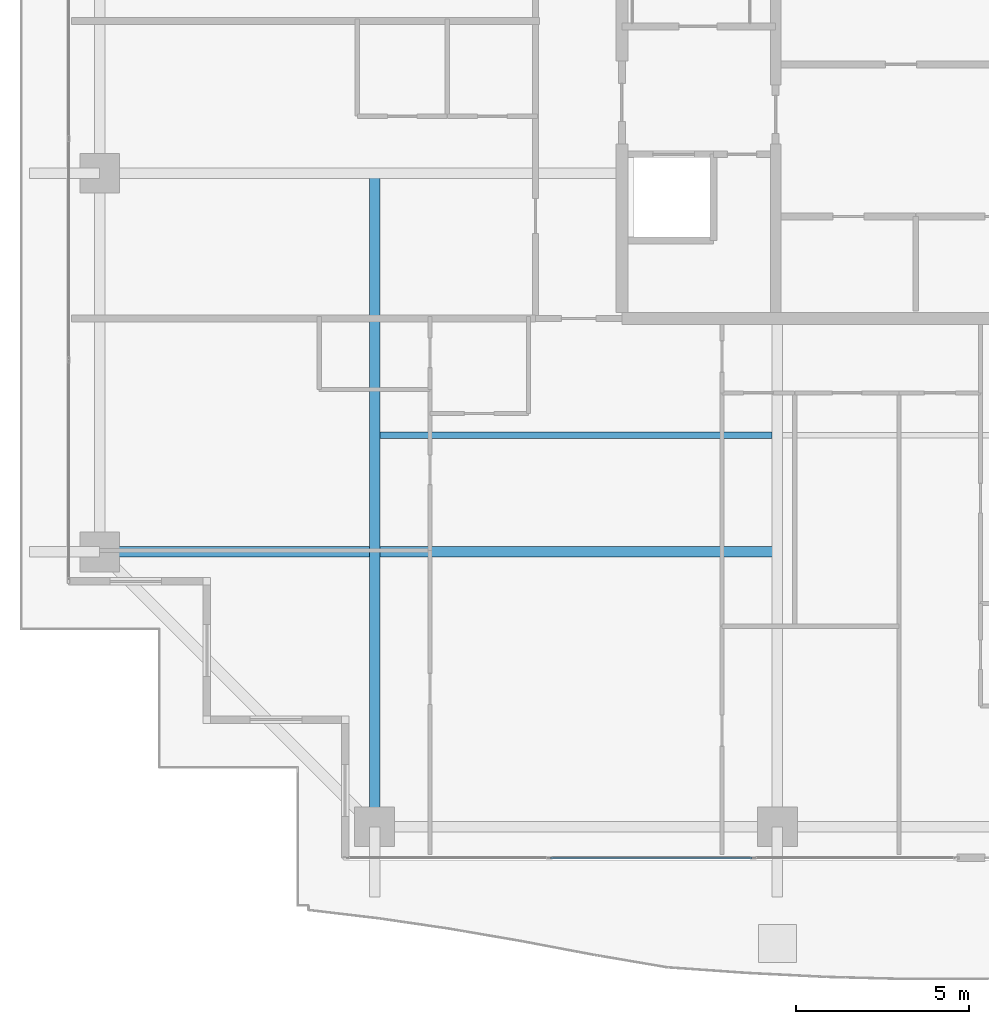
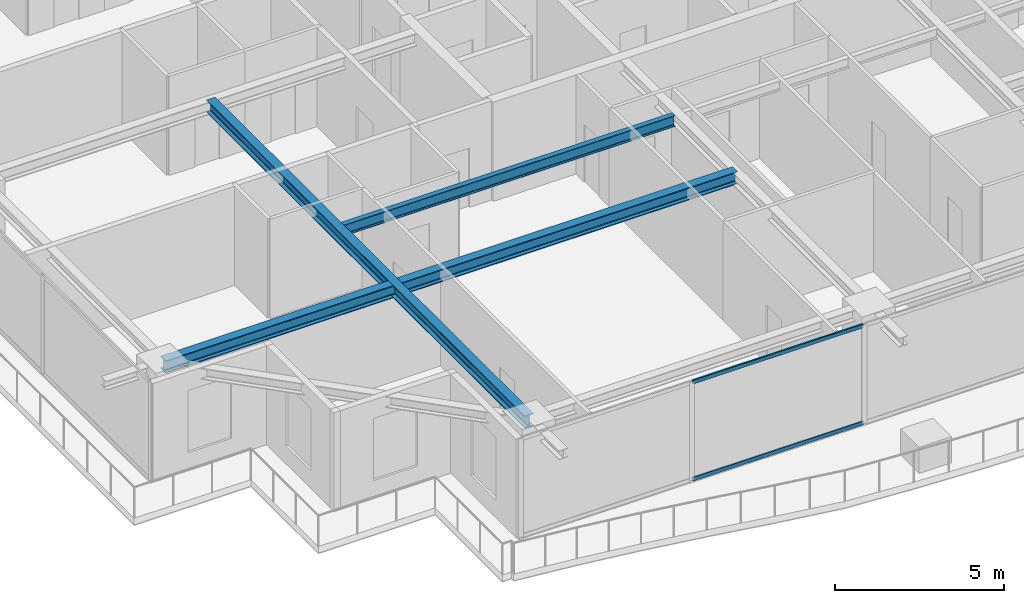
# One storey, part 4 of 38: 3 beams, 2 members, 1 element without a shape of its own.
"""IFC4 building model written with IfcOpenShell, lengths in metres."""

from ifc_helpers import new_model, si_unit, direction, frame, origin, origin_2d, place, context, subcontext, project, spatial, hollow_rectangle, i_section, extrude, source, transform, mapped, material, layer, layer_set, material_profile, profile_set, type_object, element, aggregate, save


model = new_model("IFC4")

# Units and contexts
model_context = context("Model", 3, precision=1e-05, world=origin(), true_north=direction((0.0, 1.0)))
body_context = subcontext(model_context, "Body", "Model", "MODEL_VIEW")
ifc_project = project(units=[si_unit("LENGTHUNIT", "METRE"), si_unit("AREAUNIT", "SQUARE_METRE"), si_unit("VOLUMEUNIT", "CUBIC_METRE"), si_unit("PLANEANGLEUNIT", "RADIAN"), si_unit("MASSUNIT", "GRAM", prefix="KILO")], contexts=[model_context])

# Site, building, storey
site_placement = place(None, origin())
site = spatial("IfcSite", under=ifc_project, at=site_placement, CompositionType="ELEMENT")
building_placement = place(site_placement, origin())
building = spatial("IfcBuilding", under=site, at=building_placement, Name="Serunith Strait Residences", CompositionType="ELEMENT")
storey_placement = place(building_placement, frame((0.0, 0.0, 229.699951171875)))
storey = spatial("IfcBuildingStorey", under=building, at=storey_placement, Name="L57", CompositionType="ELEMENT", Elevation=229.699951171875)

# Beams
ifc_material_1 = material(Name="Steel S355J2", Category="steel")
ifc_material_profile_1 = material_profile(ifc_material_1, i_section(OverallWidth=0.300048828125, OverallDepth=0.449951171875, WebThickness=0.013916015625, FlangeThickness=0.02587890625, FilletRadius=0.027099609375, at=origin_2d()), Name="HEB 450")
ifc_profile_set_1 = profile_set([ifc_material_profile_1], Name="Steel S355J2")
beam_type_1 = type_object("IfcBeamType", Name="BM-HEB450", PredefinedType="BEAM", material=ifc_profile_set_1)
shared_shape_1 = source(origin(), body_context, "Body", "SweptSolid", [
    extrude(i_section(OverallWidth=0.300048828125, OverallDepth=0.449951171875, WebThickness=0.013916015625, FlangeThickness=0.02587890625, FilletRadius=0.027099609375, at=origin_2d()), origin(), (0.0, 0.0, 1.0), 18.89990234375),
])
beam_1_placement = place(storey_placement, frame((16.25, 21.0, 3.362060546875), z_axis=(0.0, -1.0, 0.0), x_axis=(1.0, 0.0, 0.0)))
element("IfcBeam", 1, at=beam_1_placement, inside=storey, type_object=beam_type_1, Name="L57 Orthogonal Corner Girder TC-S1", PredefinedType="BEAM", context=body_context, shape_type="MappedRepresentation", body=[
    mapped(shared_shape_1, transform((0.0, 0.0, 0.0), scale=1.0)),
])
shared_shape_2 = source(origin(), body_context, "Body", "SweptSolid", [
    extrude(i_section(OverallWidth=0.300048828125, OverallDepth=0.449951171875, WebThickness=0.013916015625, FlangeThickness=0.02587890625, FilletRadius=0.027099609375, at=origin_2d()), origin(), (0.0, 0.0, 1.0), 19.599853515625),
])
beam_2_placement = place(storey_placement, frame((27.89990234375, 10.050048828125, 3.362060546875), z_axis=(-1.0, 0.0, 0.0), x_axis=(0.0, -1.0, 0.0)))
element("IfcBeam", 2, at=beam_2_placement, inside=storey, type_object=beam_type_1, Name="L57 Orthogonal Corner Girder TC-W1", PredefinedType="BEAM", context=body_context, shape_type="MappedRepresentation", body=[
    mapped(shared_shape_2, transform((0.0, 0.0, 0.0), scale=1.0)),
])
ifc_material_profile_2 = material_profile(ifc_material_1, i_section(OverallWidth=0.179931640625, OverallDepth=0.39990234375, WebThickness=0.008544921875, FlangeThickness=0.013427734375, FilletRadius=0.02099609375, at=origin_2d()), Name="IPE 400")
ifc_profile_set_2 = profile_set([ifc_material_profile_2], Name="Steel S355J2")
beam_type_2 = type_object("IfcBeamType", Name="BM-IPE400", PredefinedType="JOIST", material=ifc_profile_set_2)
shared_shape_3 = source(origin(), body_context, "Body", "SweptSolid", [
    extrude(i_section(OverallWidth=0.179931640625, OverallDepth=0.39990234375, WebThickness=0.008544921875, FlangeThickness=0.013427734375, FilletRadius=0.02099609375, at=origin_2d()), origin(), (0.0, 0.0, 1.0), 11.35009765625),
])
beam_3_placement = place(storey_placement, frame((16.39990234375, 13.425048828125, 3.386962890625), z_axis=(1.0, 0.0, 0.0), x_axis=(0.0, 1.0, 0.0)))
element("IfcBeam", 3, at=beam_3_placement, inside=storey, type_object=beam_type_2, Name="L57 Composite Floor Joist 01", PredefinedType="JOIST", context=body_context, shape_type="MappedRepresentation", body=[
    mapped(shared_shape_3, transform((0.0, 0.0, 0.0), scale=1.0)),
])

# Curtain wall, members
ifc_material_2 = material(Name="Pale-Champagne Anodised Aluminium", Category="aluminium")
ifc_layer = layer(ifc_material_2, 0.199951171875, Name="Pale-Champagne Anodised Aluminium")
ifc_layer_set = layer_set([ifc_layer], Name="Pale-Champagne Anodised Aluminium")
curtain_wall_type = type_object("IfcCurtainWallType", Name="CW-SYS4", PredefinedType="NOTDEFINED", material=ifc_layer_set)
curtain_wall_placement = place(storey_placement, origin())
curtain_wall = element("IfcCurtainWall", 4, at=curtain_wall_placement, inside=storey, type_object=curtain_wall_type, Name="L57 S Unitised Fritted Curtain Wall", PredefinedType="NOTDEFINED")
ifc_material_profile_3 = material_profile(ifc_material_2, hollow_rectangle(XDim=0.06005859375, YDim=0.139892578125, WallThickness=0.00341796875, InnerFilletRadius=0.00537109375, OuterFilletRadius=0.0087890625, at=origin_2d()), Name="ALU 140x60x3.5")
ifc_profile_set_3 = profile_set([ifc_material_profile_3], Name="Pale-Champagne Anodised Aluminium")
member_type = type_object("IfcMemberType", Name="CW-SYS4-TRAN", PredefinedType="USERDEFINED", material=ifc_profile_set_3)
shared_shape_4 = source(origin(), body_context, "Body", "SweptSolid", [
    extrude(hollow_rectangle(XDim=0.06005859375, YDim=0.139892578125, WallThickness=0.00341796875, InnerFilletRadius=0.00537109375, OuterFilletRadius=0.0087890625, at=origin_2d()), origin(), (0.0, 0.0, 1.0), 5.8349609375),
])
member_1_placement = place(storey_placement, frame((21.33251953125, 1.199951171875, 0.030029296875), z_axis=(1.0, 0.0, 0.0), x_axis=(0.0, 1.0, 0.0)))
member_1 = element("IfcMember", 5, at=member_1_placement, type_object=member_type, Name="CW-4 transom 2.1", ObjectType="TRANSOM", PredefinedType="USERDEFINED", context=body_context, shape_type="MappedRepresentation", body=[
    mapped(shared_shape_4, transform((0.0, 0.0, 0.0), scale=1.0)),
])
member_2_placement = place(storey_placement, frame((21.33251953125, 1.199951171875, 3.545166015625), z_axis=(1.0, 0.0, 0.0), x_axis=(0.0, 1.0, 0.0)))
member_2 = element("IfcMember", 6, at=member_2_placement, type_object=member_type, Name="CW-4 transom 2.2", ObjectType="TRANSOM", PredefinedType="USERDEFINED", context=body_context, shape_type="MappedRepresentation", body=[
    mapped(shared_shape_4, transform((0.0, 0.0, 0.0), scale=1.0)),
])
aggregate(curtain_wall, [member_1, member_2])

save(model, "model.ifc")
